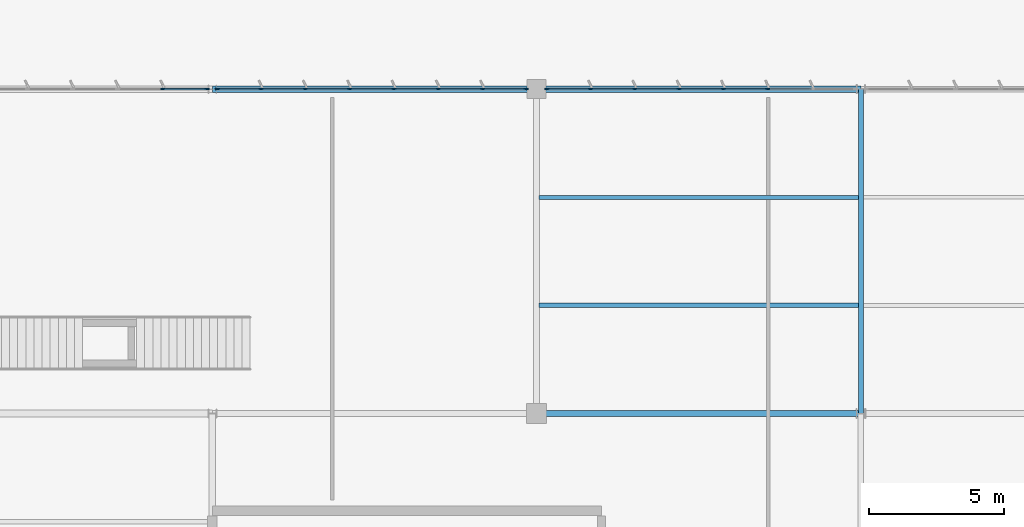
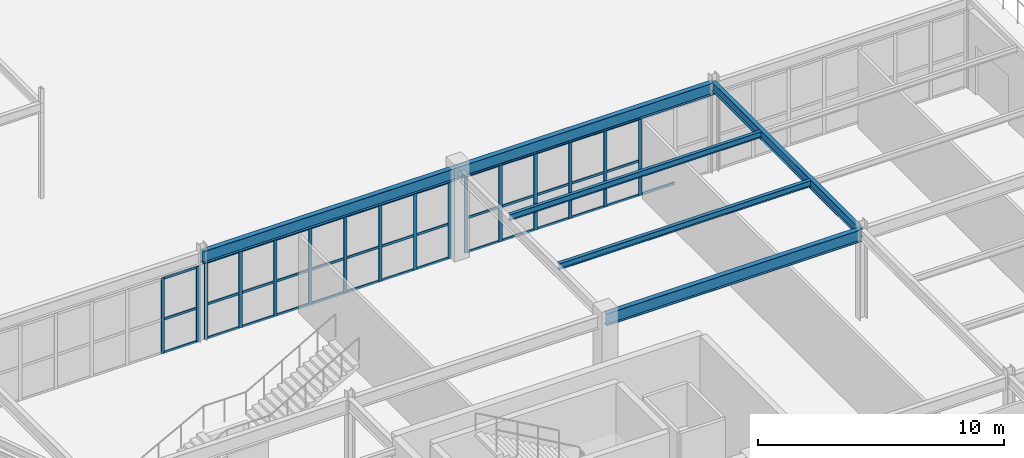
# One storey, part 96 of 199: 56 members, 6 beams, 3 elements without a shape of their own.
"""IFC4 building model written with IfcOpenShell, lengths in metres."""

from ifc_helpers import new_model, si_unit, direction, frame, origin, origin_2d, place, context, subcontext, project, spatial, rectangle, i_section, extrude, material, layer, layer_set, material_profile, profile_set, type_object, element, aggregate, save


model = new_model("IFC4")

# Units and contexts
model_context = context("Model", 3, precision=1e-05, world=origin(), true_north=direction((0.0, 1.0)))
body_context = subcontext(model_context, "Body", "Model", "MODEL_VIEW")
ifc_project = project(units=[si_unit("LENGTHUNIT", "METRE"), si_unit("AREAUNIT", "SQUARE_METRE"), si_unit("VOLUMEUNIT", "CUBIC_METRE"), si_unit("PLANEANGLEUNIT", "RADIAN"), si_unit("MASSUNIT", "GRAM", prefix="KILO")], contexts=[model_context])

# Site, building, storey
site_placement = place(None, origin())
site = spatial("IfcSite", under=ifc_project, at=site_placement, CompositionType="ELEMENT")
building_placement = place(site_placement, origin())
building = spatial("IfcBuilding", under=site, at=building_placement, Name="Tarnwether General Hospital", CompositionType="ELEMENT")
storey_placement = place(building_placement, origin())
storey = spatial("IfcBuildingStorey", under=building, at=storey_placement, Name="L00", CompositionType="ELEMENT", Elevation=0.0)

# Beams
ifc_material_1 = material(Name="Steel Grade 350 (350 MPa)", Category="steel")
ifc_material_profile_1 = material_profile(ifc_material_1, i_section(OverallWidth=0.22802734375, OverallDepth=0.60693359375, WebThickness=0.01123046875, FlangeThickness=0.017333984375, at=origin_2d()), Name="610UB113")
ifc_profile_set_1 = profile_set([ifc_material_profile_1], Name="Steel Grade 350 (350 MPa)")
beam_type_1 = type_object("IfcBeamType", Name="BM-G04", PredefinedType="BEAM", material=ifc_profile_set_1)
for number, where, z_axis, x_axis, name in (
    (1, (156.0, 45.60009765625, 4.1416015625), (1.0, 0.0, 0.0), (0.0, 1.0, 0.0), "Primary Girder BMG-L00-15600_4560-16800_4560-0812"),
    (2, (168.0, 33.60009765625, 4.1416015625), (1.0, 0.0, 0.0), (0.0, 1.0, 0.0), "Primary Girder BMG-L00-16800_3360-18000_3360-0826"),
):
    element("IfcBeam", number, at=place(storey_placement, frame(where, z_axis=z_axis, x_axis=x_axis)), inside=storey, type_object=beam_type_1, Name=name, PredefinedType="BEAM", context=body_context, shape_type="SweptSolid", body=[
        extrude(i_section(OverallWidth=0.22802734375, OverallDepth=0.60693359375, WebThickness=0.01123046875, FlangeThickness=0.017333984375, at=origin_2d()), origin(), (0.0, 0.0, 1.0), 12.0),
    ])
ifc_material_2 = material(Name="Steel Grade 350 (350 MPa)", Category="steel")
ifc_material_profile_2 = material_profile(ifc_material_2, i_section(OverallWidth=0.22802734375, OverallDepth=0.60205078125, WebThickness=0.010498046875, FlangeThickness=0.014892578125, at=origin_2d()), Name="610UB101")
ifc_profile_set_2 = profile_set([ifc_material_profile_2], Name="Steel Grade 350 (350 MPa)")
beam_type_2 = type_object("IfcBeamType", Name="BM-G05", PredefinedType="BEAM", material=ifc_profile_set_2)
beam_1_placement = place(storey_placement, frame((168.0, 45.60009765625, 4.14404296875), z_axis=(1.0, 0.0, 0.0), x_axis=(0.0, 1.0, 0.0)))
element("IfcBeam", 3, at=beam_1_placement, inside=storey, type_object=beam_type_2, Name="Primary Girder BMG-L00-16800_4560-18000_4560-0828", PredefinedType="BEAM", context=body_context, shape_type="SweptSolid", body=[
    extrude(i_section(OverallWidth=0.22802734375, OverallDepth=0.60205078125, WebThickness=0.010498046875, FlangeThickness=0.014892578125, at=origin_2d()), origin(), (0.0, 0.0, 1.0), 12.0),
])
ifc_material_3 = material(Name="Steel Grade 350 (350 MPa)", Category="steel")
ifc_material_profile_3 = material_profile(ifc_material_3, i_section(OverallWidth=0.19091796875, OverallDepth=0.4599609375, WebThickness=0.010009765625, FlangeThickness=0.01611328125, at=origin_2d()), Name="460UB82.1")
ifc_profile_set_3 = profile_set([ifc_material_profile_3], Name="Steel Grade 350 (350 MPa)")
beam_type_3 = type_object("IfcBeamType", Name="BM-G08", PredefinedType="BEAM", material=ifc_profile_set_3)
beam_2_placement = place(storey_placement, frame((180.0, 33.60009765625, 4.215087890625), z_axis=(0.0, 1.0, 0.0), x_axis=(-1.0, 0.0, 0.0)))
element("IfcBeam", 4, at=beam_2_placement, inside=storey, type_object=beam_type_3, Name="Primary Girder BMG-L00-18000_3360-18000_4560-0844", PredefinedType="BEAM", context=body_context, shape_type="SweptSolid", body=[
    extrude(i_section(OverallWidth=0.19091796875, OverallDepth=0.4599609375, WebThickness=0.010009765625, FlangeThickness=0.01611328125, at=origin_2d()), origin(), (0.0, 0.0, 1.0), 12.0),
])
ifc_material_4 = material(Name="Steel Grade 350 (350 MPa)", Category="steel")
ifc_material_profile_4 = material_profile(ifc_material_4, i_section(OverallWidth=0.1650390625, OverallDepth=0.303955078125, WebThickness=0.006103515625, FlangeThickness=0.01025390625, at=origin_2d()), Name="310UB40.4")
ifc_profile_set_4 = profile_set([ifc_material_profile_4], Name="Steel Grade 350 (350 MPa)")
beam_type_4 = type_object("IfcBeamType", Name="BM-J07", PredefinedType="JOIST", material=ifc_profile_set_4)
beam_3_placement = place(storey_placement, frame((168.09912109375, 37.60009765625, 4.29296875), z_axis=(1.0, 0.0, 0.0), x_axis=(0.0, 1.0, 0.0)))
element("IfcBeam", 5, at=beam_3_placement, inside=storey, type_object=beam_type_4, Name="Composite Floor Joist BMG-L00-16810_3760-17991_3760-1021", PredefinedType="JOIST", context=body_context, shape_type="SweptSolid", body=[
    extrude(i_section(OverallWidth=0.1650390625, OverallDepth=0.303955078125, WebThickness=0.006103515625, FlangeThickness=0.01025390625, at=origin_2d()), origin(), (0.0, 0.0, 1.0), 11.811767578125),
])
ifc_material_5 = material(Name="Steel Grade 350 (350 MPa)", Category="steel")
ifc_material_profile_5 = material_profile(ifc_material_5, i_section(OverallWidth=0.14892578125, OverallDepth=0.298095703125, WebThickness=0.005615234375, FlangeThickness=0.008056640625, at=origin_2d()), Name="310UB32.0")
ifc_profile_set_5 = profile_set([ifc_material_profile_5], Name="Steel Grade 350 (350 MPa)")
beam_type_5 = type_object("IfcBeamType", Name="BM-J08", PredefinedType="JOIST", material=ifc_profile_set_5)
beam_4_placement = place(storey_placement, frame((168.09912109375, 41.60009765625, 4.2958984375), z_axis=(1.0, 0.0, 0.0), x_axis=(0.0, 1.0, 0.0)))
element("IfcBeam", 6, at=beam_4_placement, inside=storey, type_object=beam_type_5, Name="Composite Floor Joist BMG-L00-16810_4160-17991_4160-1022", PredefinedType="JOIST", context=body_context, shape_type="SweptSolid", body=[
    extrude(i_section(OverallWidth=0.14892578125, OverallDepth=0.298095703125, WebThickness=0.005615234375, FlangeThickness=0.008056640625, at=origin_2d()), origin(), (0.0, 0.0, 1.0), 11.811767578125),
])

# Curtain wall, members
ifc_material_6 = material(Name="Anodised aluminium", Category="aluminium")
ifc_layer = layer(ifc_material_6, 0.159912109375)
ifc_layer_set = layer_set([ifc_layer], Name="Anodised aluminium")
curtain_wall_type = type_object("IfcCurtainWallType", Name="CW-20", PredefinedType="NOTDEFINED", material=ifc_layer_set)
curtain_wall_1_placement = place(storey_placement, origin())
curtain_wall_1 = element("IfcCurtainWall", 7, at=curtain_wall_1_placement, inside=storey, type_object=curtain_wall_type, Name="Curtain Wall CWG-L00-1441_456-0286", PredefinedType="NOTDEFINED")
ifc_material_7 = material(Name="Anodised aluminium", Category="aluminium")
ifc_material_profile_6 = material_profile(ifc_material_7, rectangle(XDim=0.06005859375, YDim=0.159912109375, at=origin_2d()), Name="ALU-MUL-60x160")
ifc_profile_set_6 = profile_set([ifc_material_profile_6], Name="Anodised aluminium")
member_type_1 = type_object("IfcMemberType", Name="CW-ML1", PredefinedType="MULLION", material=ifc_profile_set_6)
member_1_placement = place(storey_placement, frame((154.166259765625, 45.60009765625, 0.0), z_axis=(0.0, 0.0, 1.0), x_axis=(0.0, 1.0, 0.0)))
member_1 = element("IfcMember", 8, at=member_1_placement, type_object=member_type_1, Name="CW-20 mullion 7", PredefinedType="MULLION", context=body_context, shape_type="SweptSolid", body=[
    extrude(rectangle(XDim=0.06005859375, YDim=0.159912109375, at=origin_2d()), origin(), (0.0, 0.0, 1.0), 3.738037109375),
])
member_2_placement = place(storey_placement, frame((155.80810546875, 45.60009765625, 0.0), z_axis=(0.0, 0.0, 1.0), x_axis=(0.0, 1.0, 0.0)))
member_2 = element("IfcMember", 9, at=member_2_placement, type_object=member_type_1, Name="CW-20 mullion 8", PredefinedType="MULLION", context=body_context, shape_type="SweptSolid", body=[
    extrude(rectangle(XDim=0.06005859375, YDim=0.159912109375, at=origin_2d()), origin(), (0.0, 0.0, 1.0), 3.738037109375),
])

curtain_wall_2_placement = place(storey_placement, origin())
curtain_wall_2 = element("IfcCurtainWall", 10, at=curtain_wall_2_placement, inside=storey, type_object=curtain_wall_type, Name="Curtain Wall CWG-L00-1562_456-0287", PredefinedType="NOTDEFINED")
member_3_placement = place(storey_placement, frame((156.19189453125, 45.60009765625, 0.0), z_axis=(0.0, 0.0, 1.0), x_axis=(0.0, 1.0, 0.0)))
member_3 = element("IfcMember", 11, at=member_3_placement, type_object=member_type_1, Name="CW-20 mullion 1", PredefinedType="MULLION", context=body_context, shape_type="SweptSolid", body=[
    extrude(rectangle(XDim=0.06005859375, YDim=0.159912109375, at=origin_2d()), origin(), (0.0, 0.0, 1.0), 3.818115234375),
])
member_4_placement = place(storey_placement, frame((157.802001953125, 45.60009765625, 0.0), z_axis=(0.0, 0.0, 1.0), x_axis=(0.0, 1.0, 0.0)))
member_4 = element("IfcMember", 12, at=member_4_placement, type_object=member_type_1, Name="CW-20 mullion 2", PredefinedType="MULLION", context=body_context, shape_type="SweptSolid", body=[
    extrude(rectangle(XDim=0.06005859375, YDim=0.159912109375, at=origin_2d()), origin(), (0.0, 0.0, 1.0), 3.818115234375),
])
member_5_placement = place(storey_placement, frame((159.44189453125, 45.60009765625, 0.0), z_axis=(0.0, 0.0, 1.0), x_axis=(0.0, 1.0, 0.0)))
member_5 = element("IfcMember", 13, at=member_5_placement, type_object=member_type_1, Name="CW-20 mullion 3", PredefinedType="MULLION", context=body_context, shape_type="SweptSolid", body=[
    extrude(rectangle(XDim=0.06005859375, YDim=0.159912109375, at=origin_2d()), origin(), (0.0, 0.0, 1.0), 3.818115234375),
])
member_6_placement = place(storey_placement, frame((161.08203125, 45.60009765625, 0.0), z_axis=(0.0, 0.0, 1.0), x_axis=(0.0, 1.0, 0.0)))
member_6 = element("IfcMember", 14, at=member_6_placement, type_object=member_type_1, Name="CW-20 mullion 4", PredefinedType="MULLION", context=body_context, shape_type="SweptSolid", body=[
    extrude(rectangle(XDim=0.06005859375, YDim=0.159912109375, at=origin_2d()), origin(), (0.0, 0.0, 1.0), 3.818115234375),
])
member_7_placement = place(storey_placement, frame((162.721923828125, 45.60009765625, 0.0), z_axis=(0.0, 0.0, 1.0), x_axis=(0.0, 1.0, 0.0)))
member_7 = element("IfcMember", 15, at=member_7_placement, type_object=member_type_1, Name="CW-20 mullion 5", PredefinedType="MULLION", context=body_context, shape_type="SweptSolid", body=[
    extrude(rectangle(XDim=0.06005859375, YDim=0.159912109375, at=origin_2d()), origin(), (0.0, 0.0, 1.0), 3.818115234375),
])
member_8_placement = place(storey_placement, frame((164.362060546875, 45.60009765625, 0.0), z_axis=(0.0, 0.0, 1.0), x_axis=(0.0, 1.0, 0.0)))
member_8 = element("IfcMember", 16, at=member_8_placement, type_object=member_type_1, Name="CW-20 mullion 6", PredefinedType="MULLION", context=body_context, shape_type="SweptSolid", body=[
    extrude(rectangle(XDim=0.06005859375, YDim=0.159912109375, at=origin_2d()), origin(), (0.0, 0.0, 1.0), 3.818115234375),
])
member_9_placement = place(storey_placement, frame((166.001953125, 45.60009765625, 0.0), z_axis=(0.0, 0.0, 1.0), x_axis=(0.0, 1.0, 0.0)))
member_9 = element("IfcMember", 17, at=member_9_placement, type_object=member_type_1, Name="CW-20 mullion 7", PredefinedType="MULLION", context=body_context, shape_type="SweptSolid", body=[
    extrude(rectangle(XDim=0.06005859375, YDim=0.159912109375, at=origin_2d()), origin(), (0.0, 0.0, 1.0), 3.818115234375),
])
member_10_placement = place(storey_placement, frame((167.612060546875, 45.60009765625, 0.0), z_axis=(0.0, 0.0, 1.0), x_axis=(0.0, 1.0, 0.0)))
member_10 = element("IfcMember", 18, at=member_10_placement, type_object=member_type_1, Name="CW-20 mullion 8", PredefinedType="MULLION", context=body_context, shape_type="SweptSolid", body=[
    extrude(rectangle(XDim=0.06005859375, YDim=0.159912109375, at=origin_2d()), origin(), (0.0, 0.0, 1.0), 3.818115234375),
])

curtain_wall_3_placement = place(storey_placement, origin())
curtain_wall_3 = element("IfcCurtainWall", 19, at=curtain_wall_3_placement, inside=storey, type_object=curtain_wall_type, Name="Curtain Wall CWG-L00-1684_456-0288", PredefinedType="NOTDEFINED")
member_11_placement = place(storey_placement, frame((168.387939453125, 45.60009765625, 0.0), z_axis=(0.0, 0.0, 1.0), x_axis=(0.0, 1.0, 0.0)))
member_11 = element("IfcMember", 20, at=member_11_placement, type_object=member_type_1, Name="CW-20 mullion 1", PredefinedType="MULLION", context=body_context, shape_type="SweptSolid", body=[
    extrude(rectangle(XDim=0.06005859375, YDim=0.159912109375, at=origin_2d()), origin(), (0.0, 0.0, 1.0), 3.827880859375),
])
member_12_placement = place(storey_placement, frame((169.99658203125, 45.60009765625, 0.0), z_axis=(0.0, 0.0, 1.0), x_axis=(0.0, 1.0, 0.0)))
member_12 = element("IfcMember", 21, at=member_12_placement, type_object=member_type_1, Name="CW-20 mullion 2", PredefinedType="MULLION", context=body_context, shape_type="SweptSolid", body=[
    extrude(rectangle(XDim=0.06005859375, YDim=0.159912109375, at=origin_2d()), origin(), (0.0, 0.0, 1.0), 3.827880859375),
])
member_13_placement = place(storey_placement, frame((171.63525390625, 45.60009765625, 0.0), z_axis=(0.0, 0.0, 1.0), x_axis=(0.0, 1.0, 0.0)))
member_13 = element("IfcMember", 22, at=member_13_placement, type_object=member_type_1, Name="CW-20 mullion 3", PredefinedType="MULLION", context=body_context, shape_type="SweptSolid", body=[
    extrude(rectangle(XDim=0.06005859375, YDim=0.159912109375, at=origin_2d()), origin(), (0.0, 0.0, 1.0), 3.827880859375),
])
member_14_placement = place(storey_placement, frame((173.273681640625, 45.60009765625, 0.0), z_axis=(0.0, 0.0, 1.0), x_axis=(0.0, 1.0, 0.0)))
member_14 = element("IfcMember", 23, at=member_14_placement, type_object=member_type_1, Name="CW-20 mullion 4", PredefinedType="MULLION", context=body_context, shape_type="SweptSolid", body=[
    extrude(rectangle(XDim=0.06005859375, YDim=0.159912109375, at=origin_2d()), origin(), (0.0, 0.0, 1.0), 3.827880859375),
])
member_15_placement = place(storey_placement, frame((174.912353515625, 45.60009765625, 0.0), z_axis=(0.0, 0.0, 1.0), x_axis=(0.0, 1.0, 0.0)))
member_15 = element("IfcMember", 24, at=member_15_placement, type_object=member_type_1, Name="CW-20 mullion 5", PredefinedType="MULLION", context=body_context, shape_type="SweptSolid", body=[
    extrude(rectangle(XDim=0.06005859375, YDim=0.159912109375, at=origin_2d()), origin(), (0.0, 0.0, 1.0), 3.827880859375),
])
member_16_placement = place(storey_placement, frame((176.55078125, 45.60009765625, 0.0), z_axis=(0.0, 0.0, 1.0), x_axis=(0.0, 1.0, 0.0)))
member_16 = element("IfcMember", 25, at=member_16_placement, type_object=member_type_1, Name="CW-20 mullion 6", PredefinedType="MULLION", context=body_context, shape_type="SweptSolid", body=[
    extrude(rectangle(XDim=0.06005859375, YDim=0.159912109375, at=origin_2d()), origin(), (0.0, 0.0, 1.0), 3.827880859375),
])

# Member
ifc_material_8 = material(Name="Anodised aluminium", Category="aluminium")
ifc_material_profile_7 = material_profile(ifc_material_8, rectangle(XDim=0.06005859375, YDim=0.1201171875, at=origin_2d()), Name="ALU-TRN-60x120")
ifc_profile_set_7 = profile_set([ifc_material_profile_7], Name="Anodised aluminium")
member_type_2 = type_object("IfcMemberType", Name="CW-TR1", PredefinedType="USERDEFINED", material=ifc_profile_set_7)
member_17_placement = place(storey_placement, frame((154.196044921875, 45.60009765625, 0.030029296875), z_axis=(1.0, 0.0, 0.0), x_axis=(0.0, 1.0, 0.0)))
member_17 = element("IfcMember", 26, at=member_17_placement, type_object=member_type_2, Name="CW-20 transom 7.1", ObjectType="TRANSOM", PredefinedType="USERDEFINED", context=body_context, shape_type="SweptSolid", body=[
    extrude(rectangle(XDim=0.06005859375, YDim=0.1201171875, at=origin_2d()), origin(), (0.0, 0.0, 1.0), 1.58203125),
])

member_18_placement = place(storey_placement, frame((154.196044921875, 45.60009765625, 1.68212890625), z_axis=(1.0, 0.0, 0.0), x_axis=(0.0, 1.0, 0.0)))
member_18 = element("IfcMember", 27, at=member_18_placement, type_object=member_type_2, Name="CW-20 transom 7.2", ObjectType="TRANSOM", PredefinedType="USERDEFINED", context=body_context, shape_type="SweptSolid", body=[
    extrude(rectangle(XDim=0.06005859375, YDim=0.1201171875, at=origin_2d()), origin(), (0.0, 0.0, 1.0), 1.58203125),
])

member_19_placement = place(storey_placement, frame((154.196044921875, 45.60009765625, 3.7080078125), z_axis=(1.0, 0.0, 0.0), x_axis=(0.0, 1.0, 0.0)))
member_19 = element("IfcMember", 28, at=member_19_placement, type_object=member_type_2, Name="CW-20 transom 7.3", ObjectType="TRANSOM", PredefinedType="USERDEFINED", context=body_context, shape_type="SweptSolid", body=[
    extrude(rectangle(XDim=0.06005859375, YDim=0.1201171875, at=origin_2d()), origin(), (0.0, 0.0, 1.0), 1.58203125),
])

aggregate(curtain_wall_1, [member_1, member_2, member_17, member_18, member_19])

member_20_placement = place(storey_placement, frame((156.221923828125, 45.60009765625, 0.030029296875), z_axis=(1.0, 0.0, 0.0), x_axis=(0.0, 1.0, 0.0)))
member_20 = element("IfcMember", 29, at=member_20_placement, type_object=member_type_2, Name="CW-20 transom 1.1", ObjectType="TRANSOM", PredefinedType="USERDEFINED", context=body_context, shape_type="SweptSolid", body=[
    extrude(rectangle(XDim=0.06005859375, YDim=0.1201171875, at=origin_2d()), origin(), (0.0, 0.0, 1.0), 1.550048828125),
])

member_21_placement = place(storey_placement, frame((156.221923828125, 45.60009765625, 1.718017578125), z_axis=(1.0, 0.0, 0.0), x_axis=(0.0, 1.0, 0.0)))
member_21 = element("IfcMember", 30, at=member_21_placement, type_object=member_type_2, Name="CW-20 transom 1.2", ObjectType="TRANSOM", PredefinedType="USERDEFINED", context=body_context, shape_type="SweptSolid", body=[
    extrude(rectangle(XDim=0.06005859375, YDim=0.1201171875, at=origin_2d()), origin(), (0.0, 0.0, 1.0), 1.550048828125),
])

member_22_placement = place(storey_placement, frame((156.221923828125, 45.60009765625, 3.7880859375), z_axis=(1.0, 0.0, 0.0), x_axis=(0.0, 1.0, 0.0)))
member_22 = element("IfcMember", 31, at=member_22_placement, type_object=member_type_2, Name="CW-20 transom 1.3", ObjectType="TRANSOM", PredefinedType="USERDEFINED", context=body_context, shape_type="SweptSolid", body=[
    extrude(rectangle(XDim=0.06005859375, YDim=0.1201171875, at=origin_2d()), origin(), (0.0, 0.0, 1.0), 1.550048828125),
])

member_23_placement = place(storey_placement, frame((157.83203125, 45.60009765625, 0.030029296875), z_axis=(1.0, 0.0, 0.0), x_axis=(0.0, 1.0, 0.0)))
member_23 = element("IfcMember", 32, at=member_23_placement, type_object=member_type_2, Name="CW-20 transom 2.1", ObjectType="TRANSOM", PredefinedType="USERDEFINED", context=body_context, shape_type="SweptSolid", body=[
    extrude(rectangle(XDim=0.06005859375, YDim=0.1201171875, at=origin_2d()), origin(), (0.0, 0.0, 1.0), 1.580078125),
])

member_24_placement = place(storey_placement, frame((157.83203125, 45.60009765625, 1.718017578125), z_axis=(1.0, 0.0, 0.0), x_axis=(0.0, 1.0, 0.0)))
member_24 = element("IfcMember", 33, at=member_24_placement, type_object=member_type_2, Name="CW-20 transom 2.2", ObjectType="TRANSOM", PredefinedType="USERDEFINED", context=body_context, shape_type="SweptSolid", body=[
    extrude(rectangle(XDim=0.06005859375, YDim=0.1201171875, at=origin_2d()), origin(), (0.0, 0.0, 1.0), 1.580078125),
])

member_25_placement = place(storey_placement, frame((157.83203125, 45.60009765625, 3.7880859375), z_axis=(1.0, 0.0, 0.0), x_axis=(0.0, 1.0, 0.0)))
member_25 = element("IfcMember", 34, at=member_25_placement, type_object=member_type_2, Name="CW-20 transom 2.3", ObjectType="TRANSOM", PredefinedType="USERDEFINED", context=body_context, shape_type="SweptSolid", body=[
    extrude(rectangle(XDim=0.06005859375, YDim=0.1201171875, at=origin_2d()), origin(), (0.0, 0.0, 1.0), 1.580078125),
])

member_26_placement = place(storey_placement, frame((159.471923828125, 45.60009765625, 0.030029296875), z_axis=(1.0, 0.0, 0.0), x_axis=(0.0, 1.0, 0.0)))
member_26 = element("IfcMember", 35, at=member_26_placement, type_object=member_type_2, Name="CW-20 transom 3.1", ObjectType="TRANSOM", PredefinedType="USERDEFINED", context=body_context, shape_type="SweptSolid", body=[
    extrude(rectangle(XDim=0.06005859375, YDim=0.1201171875, at=origin_2d()), origin(), (0.0, 0.0, 1.0), 1.580078125),
])

member_27_placement = place(storey_placement, frame((159.471923828125, 45.60009765625, 1.718017578125), z_axis=(1.0, 0.0, 0.0), x_axis=(0.0, 1.0, 0.0)))
member_27 = element("IfcMember", 36, at=member_27_placement, type_object=member_type_2, Name="CW-20 transom 3.2", ObjectType="TRANSOM", PredefinedType="USERDEFINED", context=body_context, shape_type="SweptSolid", body=[
    extrude(rectangle(XDim=0.06005859375, YDim=0.1201171875, at=origin_2d()), origin(), (0.0, 0.0, 1.0), 1.580078125),
])

member_28_placement = place(storey_placement, frame((159.471923828125, 45.60009765625, 3.7880859375), z_axis=(1.0, 0.0, 0.0), x_axis=(0.0, 1.0, 0.0)))
member_28 = element("IfcMember", 37, at=member_28_placement, type_object=member_type_2, Name="CW-20 transom 3.3", ObjectType="TRANSOM", PredefinedType="USERDEFINED", context=body_context, shape_type="SweptSolid", body=[
    extrude(rectangle(XDim=0.06005859375, YDim=0.1201171875, at=origin_2d()), origin(), (0.0, 0.0, 1.0), 1.580078125),
])

member_29_placement = place(storey_placement, frame((161.112060546875, 45.60009765625, 0.030029296875), z_axis=(1.0, 0.0, 0.0), x_axis=(0.0, 1.0, 0.0)))
member_29 = element("IfcMember", 38, at=member_29_placement, type_object=member_type_2, Name="CW-20 transom 4.1", ObjectType="TRANSOM", PredefinedType="USERDEFINED", context=body_context, shape_type="SweptSolid", body=[
    extrude(rectangle(XDim=0.06005859375, YDim=0.1201171875, at=origin_2d()), origin(), (0.0, 0.0, 1.0), 1.579833984375),
])

member_30_placement = place(storey_placement, frame((161.112060546875, 45.60009765625, 1.718017578125), z_axis=(1.0, 0.0, 0.0), x_axis=(0.0, 1.0, 0.0)))
member_30 = element("IfcMember", 39, at=member_30_placement, type_object=member_type_2, Name="CW-20 transom 4.2", ObjectType="TRANSOM", PredefinedType="USERDEFINED", context=body_context, shape_type="SweptSolid", body=[
    extrude(rectangle(XDim=0.06005859375, YDim=0.1201171875, at=origin_2d()), origin(), (0.0, 0.0, 1.0), 1.579833984375),
])

member_31_placement = place(storey_placement, frame((161.112060546875, 45.60009765625, 3.7880859375), z_axis=(1.0, 0.0, 0.0), x_axis=(0.0, 1.0, 0.0)))
member_31 = element("IfcMember", 40, at=member_31_placement, type_object=member_type_2, Name="CW-20 transom 4.3", ObjectType="TRANSOM", PredefinedType="USERDEFINED", context=body_context, shape_type="SweptSolid", body=[
    extrude(rectangle(XDim=0.06005859375, YDim=0.1201171875, at=origin_2d()), origin(), (0.0, 0.0, 1.0), 1.579833984375),
])

member_32_placement = place(storey_placement, frame((162.751953125, 45.60009765625, 0.030029296875), z_axis=(1.0, 0.0, 0.0), x_axis=(0.0, 1.0, 0.0)))
member_32 = element("IfcMember", 41, at=member_32_placement, type_object=member_type_2, Name="CW-20 transom 5.1", ObjectType="TRANSOM", PredefinedType="USERDEFINED", context=body_context, shape_type="SweptSolid", body=[
    extrude(rectangle(XDim=0.06005859375, YDim=0.1201171875, at=origin_2d()), origin(), (0.0, 0.0, 1.0), 1.580078125),
])

member_33_placement = place(storey_placement, frame((162.751953125, 45.60009765625, 1.718017578125), z_axis=(1.0, 0.0, 0.0), x_axis=(0.0, 1.0, 0.0)))
member_33 = element("IfcMember", 42, at=member_33_placement, type_object=member_type_2, Name="CW-20 transom 5.2", ObjectType="TRANSOM", PredefinedType="USERDEFINED", context=body_context, shape_type="SweptSolid", body=[
    extrude(rectangle(XDim=0.06005859375, YDim=0.1201171875, at=origin_2d()), origin(), (0.0, 0.0, 1.0), 1.580078125),
])

member_34_placement = place(storey_placement, frame((162.751953125, 45.60009765625, 3.7880859375), z_axis=(1.0, 0.0, 0.0), x_axis=(0.0, 1.0, 0.0)))
member_34 = element("IfcMember", 43, at=member_34_placement, type_object=member_type_2, Name="CW-20 transom 5.3", ObjectType="TRANSOM", PredefinedType="USERDEFINED", context=body_context, shape_type="SweptSolid", body=[
    extrude(rectangle(XDim=0.06005859375, YDim=0.1201171875, at=origin_2d()), origin(), (0.0, 0.0, 1.0), 1.580078125),
])

member_35_placement = place(storey_placement, frame((164.39208984375, 45.60009765625, 0.030029296875), z_axis=(1.0, 0.0, 0.0), x_axis=(0.0, 1.0, 0.0)))
member_35 = element("IfcMember", 44, at=member_35_placement, type_object=member_type_2, Name="CW-20 transom 6.1", ObjectType="TRANSOM", PredefinedType="USERDEFINED", context=body_context, shape_type="SweptSolid", body=[
    extrude(rectangle(XDim=0.06005859375, YDim=0.1201171875, at=origin_2d()), origin(), (0.0, 0.0, 1.0), 1.579833984375),
])

member_36_placement = place(storey_placement, frame((164.39208984375, 45.60009765625, 1.718017578125), z_axis=(1.0, 0.0, 0.0), x_axis=(0.0, 1.0, 0.0)))
member_36 = element("IfcMember", 45, at=member_36_placement, type_object=member_type_2, Name="CW-20 transom 6.2", ObjectType="TRANSOM", PredefinedType="USERDEFINED", context=body_context, shape_type="SweptSolid", body=[
    extrude(rectangle(XDim=0.06005859375, YDim=0.1201171875, at=origin_2d()), origin(), (0.0, 0.0, 1.0), 1.579833984375),
])

member_37_placement = place(storey_placement, frame((164.39208984375, 45.60009765625, 3.7880859375), z_axis=(1.0, 0.0, 0.0), x_axis=(0.0, 1.0, 0.0)))
member_37 = element("IfcMember", 46, at=member_37_placement, type_object=member_type_2, Name="CW-20 transom 6.3", ObjectType="TRANSOM", PredefinedType="USERDEFINED", context=body_context, shape_type="SweptSolid", body=[
    extrude(rectangle(XDim=0.06005859375, YDim=0.1201171875, at=origin_2d()), origin(), (0.0, 0.0, 1.0), 1.579833984375),
])

member_38_placement = place(storey_placement, frame((166.031982421875, 45.60009765625, 0.030029296875), z_axis=(1.0, 0.0, 0.0), x_axis=(0.0, 1.0, 0.0)))
member_38 = element("IfcMember", 47, at=member_38_placement, type_object=member_type_2, Name="CW-20 transom 7.1", ObjectType="TRANSOM", PredefinedType="USERDEFINED", context=body_context, shape_type="SweptSolid", body=[
    extrude(rectangle(XDim=0.06005859375, YDim=0.1201171875, at=origin_2d()), origin(), (0.0, 0.0, 1.0), 1.550048828125),
])

member_39_placement = place(storey_placement, frame((166.031982421875, 45.60009765625, 1.718017578125), z_axis=(1.0, 0.0, 0.0), x_axis=(0.0, 1.0, 0.0)))
member_39 = element("IfcMember", 48, at=member_39_placement, type_object=member_type_2, Name="CW-20 transom 7.2", ObjectType="TRANSOM", PredefinedType="USERDEFINED", context=body_context, shape_type="SweptSolid", body=[
    extrude(rectangle(XDim=0.06005859375, YDim=0.1201171875, at=origin_2d()), origin(), (0.0, 0.0, 1.0), 1.550048828125),
])

member_40_placement = place(storey_placement, frame((166.031982421875, 45.60009765625, 3.7880859375), z_axis=(1.0, 0.0, 0.0), x_axis=(0.0, 1.0, 0.0)))
member_40 = element("IfcMember", 49, at=member_40_placement, type_object=member_type_2, Name="CW-20 transom 7.3", ObjectType="TRANSOM", PredefinedType="USERDEFINED", context=body_context, shape_type="SweptSolid", body=[
    extrude(rectangle(XDim=0.06005859375, YDim=0.1201171875, at=origin_2d()), origin(), (0.0, 0.0, 1.0), 1.550048828125),
])

aggregate(curtain_wall_2, [member_3, member_4, member_5, member_6, member_7, member_8, member_9, member_10, member_20, member_21, member_22, member_23, member_24, member_25, member_26, member_27, member_28, member_29, member_30, member_31, member_32, member_33, member_34, member_35, member_36, member_37, member_38, member_39, member_40])

member_41_placement = place(storey_placement, frame((168.41796875, 45.60009765625, 0.030029296875), z_axis=(1.0, 0.0, 0.0), x_axis=(0.0, 1.0, 0.0)))
member_41 = element("IfcMember", 50, at=member_41_placement, type_object=member_type_2, Name="CW-20 transom 1.1", ObjectType="TRANSOM", PredefinedType="USERDEFINED", context=body_context, shape_type="SweptSolid", body=[
    extrude(rectangle(XDim=0.06005859375, YDim=0.1201171875, at=origin_2d()), origin(), (0.0, 0.0, 1.0), 1.548583984375),
])

member_42_placement = place(storey_placement, frame((168.41796875, 45.60009765625, 1.72265625), z_axis=(1.0, 0.0, 0.0), x_axis=(0.0, 1.0, 0.0)))
member_42 = element("IfcMember", 51, at=member_42_placement, type_object=member_type_2, Name="CW-20 transom 1.2", ObjectType="TRANSOM", PredefinedType="USERDEFINED", context=body_context, shape_type="SweptSolid", body=[
    extrude(rectangle(XDim=0.06005859375, YDim=0.1201171875, at=origin_2d()), origin(), (0.0, 0.0, 1.0), 1.548583984375),
])

member_43_placement = place(storey_placement, frame((168.41796875, 45.60009765625, 3.798095703125), z_axis=(1.0, 0.0, 0.0), x_axis=(0.0, 1.0, 0.0)))
member_43 = element("IfcMember", 52, at=member_43_placement, type_object=member_type_2, Name="CW-20 transom 1.3", ObjectType="TRANSOM", PredefinedType="USERDEFINED", context=body_context, shape_type="SweptSolid", body=[
    extrude(rectangle(XDim=0.06005859375, YDim=0.1201171875, at=origin_2d()), origin(), (0.0, 0.0, 1.0), 1.548583984375),
])

member_44_placement = place(storey_placement, frame((170.026611328125, 45.60009765625, 0.030029296875), z_axis=(1.0, 0.0, 0.0), x_axis=(0.0, 1.0, 0.0)))
member_44 = element("IfcMember", 53, at=member_44_placement, type_object=member_type_2, Name="CW-20 transom 2.1", ObjectType="TRANSOM", PredefinedType="USERDEFINED", context=body_context, shape_type="SweptSolid", body=[
    extrude(rectangle(XDim=0.06005859375, YDim=0.1201171875, at=origin_2d()), origin(), (0.0, 0.0, 1.0), 1.57861328125),
])

member_45_placement = place(storey_placement, frame((170.026611328125, 45.60009765625, 1.72265625), z_axis=(1.0, 0.0, 0.0), x_axis=(0.0, 1.0, 0.0)))
member_45 = element("IfcMember", 54, at=member_45_placement, type_object=member_type_2, Name="CW-20 transom 2.2", ObjectType="TRANSOM", PredefinedType="USERDEFINED", context=body_context, shape_type="SweptSolid", body=[
    extrude(rectangle(XDim=0.06005859375, YDim=0.1201171875, at=origin_2d()), origin(), (0.0, 0.0, 1.0), 1.57861328125),
])

member_46_placement = place(storey_placement, frame((170.026611328125, 45.60009765625, 3.798095703125), z_axis=(1.0, 0.0, 0.0), x_axis=(0.0, 1.0, 0.0)))
member_46 = element("IfcMember", 55, at=member_46_placement, type_object=member_type_2, Name="CW-20 transom 2.3", ObjectType="TRANSOM", PredefinedType="USERDEFINED", context=body_context, shape_type="SweptSolid", body=[
    extrude(rectangle(XDim=0.06005859375, YDim=0.1201171875, at=origin_2d()), origin(), (0.0, 0.0, 1.0), 1.57861328125),
])

member_47_placement = place(storey_placement, frame((171.6650390625, 45.60009765625, 0.030029296875), z_axis=(1.0, 0.0, 0.0), x_axis=(0.0, 1.0, 0.0)))
member_47 = element("IfcMember", 56, at=member_47_placement, type_object=member_type_2, Name="CW-20 transom 3.1", ObjectType="TRANSOM", PredefinedType="USERDEFINED", context=body_context, shape_type="SweptSolid", body=[
    extrude(rectangle(XDim=0.06005859375, YDim=0.1201171875, at=origin_2d()), origin(), (0.0, 0.0, 1.0), 1.57861328125),
])

member_48_placement = place(storey_placement, frame((171.6650390625, 45.60009765625, 1.72265625), z_axis=(1.0, 0.0, 0.0), x_axis=(0.0, 1.0, 0.0)))
member_48 = element("IfcMember", 57, at=member_48_placement, type_object=member_type_2, Name="CW-20 transom 3.2", ObjectType="TRANSOM", PredefinedType="USERDEFINED", context=body_context, shape_type="SweptSolid", body=[
    extrude(rectangle(XDim=0.06005859375, YDim=0.1201171875, at=origin_2d()), origin(), (0.0, 0.0, 1.0), 1.57861328125),
])

member_49_placement = place(storey_placement, frame((171.6650390625, 45.60009765625, 3.798095703125), z_axis=(1.0, 0.0, 0.0), x_axis=(0.0, 1.0, 0.0)))
member_49 = element("IfcMember", 58, at=member_49_placement, type_object=member_type_2, Name="CW-20 transom 3.3", ObjectType="TRANSOM", PredefinedType="USERDEFINED", context=body_context, shape_type="SweptSolid", body=[
    extrude(rectangle(XDim=0.06005859375, YDim=0.1201171875, at=origin_2d()), origin(), (0.0, 0.0, 1.0), 1.57861328125),
])

member_50_placement = place(storey_placement, frame((173.3037109375, 45.60009765625, 0.030029296875), z_axis=(1.0, 0.0, 0.0), x_axis=(0.0, 1.0, 0.0)))
member_50 = element("IfcMember", 59, at=member_50_placement, type_object=member_type_2, Name="CW-20 transom 4.1", ObjectType="TRANSOM", PredefinedType="USERDEFINED", context=body_context, shape_type="SweptSolid", body=[
    extrude(rectangle(XDim=0.06005859375, YDim=0.1201171875, at=origin_2d()), origin(), (0.0, 0.0, 1.0), 1.57861328125),
])

member_51_placement = place(storey_placement, frame((173.3037109375, 45.60009765625, 1.72265625), z_axis=(1.0, 0.0, 0.0), x_axis=(0.0, 1.0, 0.0)))
member_51 = element("IfcMember", 60, at=member_51_placement, type_object=member_type_2, Name="CW-20 transom 4.2", ObjectType="TRANSOM", PredefinedType="USERDEFINED", context=body_context, shape_type="SweptSolid", body=[
    extrude(rectangle(XDim=0.06005859375, YDim=0.1201171875, at=origin_2d()), origin(), (0.0, 0.0, 1.0), 1.57861328125),
])

member_52_placement = place(storey_placement, frame((173.3037109375, 45.60009765625, 3.798095703125), z_axis=(1.0, 0.0, 0.0), x_axis=(0.0, 1.0, 0.0)))
member_52 = element("IfcMember", 61, at=member_52_placement, type_object=member_type_2, Name="CW-20 transom 4.3", ObjectType="TRANSOM", PredefinedType="USERDEFINED", context=body_context, shape_type="SweptSolid", body=[
    extrude(rectangle(XDim=0.06005859375, YDim=0.1201171875, at=origin_2d()), origin(), (0.0, 0.0, 1.0), 1.57861328125),
])

member_53_placement = place(storey_placement, frame((174.9423828125, 45.60009765625, 0.030029296875), z_axis=(1.0, 0.0, 0.0), x_axis=(0.0, 1.0, 0.0)))
member_53 = element("IfcMember", 62, at=member_53_placement, type_object=member_type_2, Name="CW-20 transom 5.1", ObjectType="TRANSOM", PredefinedType="USERDEFINED", context=body_context, shape_type="SweptSolid", body=[
    extrude(rectangle(XDim=0.06005859375, YDim=0.1201171875, at=origin_2d()), origin(), (0.0, 0.0, 1.0), 1.578369140625),
])

member_54_placement = place(storey_placement, frame((174.9423828125, 45.60009765625, 1.72265625), z_axis=(1.0, 0.0, 0.0), x_axis=(0.0, 1.0, 0.0)))
member_54 = element("IfcMember", 63, at=member_54_placement, type_object=member_type_2, Name="CW-20 transom 5.2", ObjectType="TRANSOM", PredefinedType="USERDEFINED", context=body_context, shape_type="SweptSolid", body=[
    extrude(rectangle(XDim=0.06005859375, YDim=0.1201171875, at=origin_2d()), origin(), (0.0, 0.0, 1.0), 1.578369140625),
])

member_55_placement = place(storey_placement, frame((174.9423828125, 45.60009765625, 3.798095703125), z_axis=(1.0, 0.0, 0.0), x_axis=(0.0, 1.0, 0.0)))
member_55 = element("IfcMember", 64, at=member_55_placement, type_object=member_type_2, Name="CW-20 transom 5.3", ObjectType="TRANSOM", PredefinedType="USERDEFINED", context=body_context, shape_type="SweptSolid", body=[
    extrude(rectangle(XDim=0.06005859375, YDim=0.1201171875, at=origin_2d()), origin(), (0.0, 0.0, 1.0), 1.578369140625),
])

member_56_placement = place(storey_placement, frame((176.580810546875, 45.60009765625, 0.030029296875), z_axis=(1.0, 0.0, 0.0), x_axis=(0.0, 1.0, 0.0)))
member_56 = element("IfcMember", 65, at=member_56_placement, type_object=member_type_2, Name="CW-20 transom 6.1", ObjectType="TRANSOM", PredefinedType="USERDEFINED", context=body_context, shape_type="SweptSolid", body=[
    extrude(rectangle(XDim=0.06005859375, YDim=0.1201171875, at=origin_2d()), origin(), (0.0, 0.0, 1.0), 1.57861328125),
])

aggregate(curtain_wall_3, [member_11, member_12, member_13, member_14, member_15, member_16, member_41, member_42, member_43, member_44, member_45, member_46, member_47, member_48, member_49, member_50, member_51, member_52, member_53, member_54, member_55, member_56])

save(model, "model.ifc")
